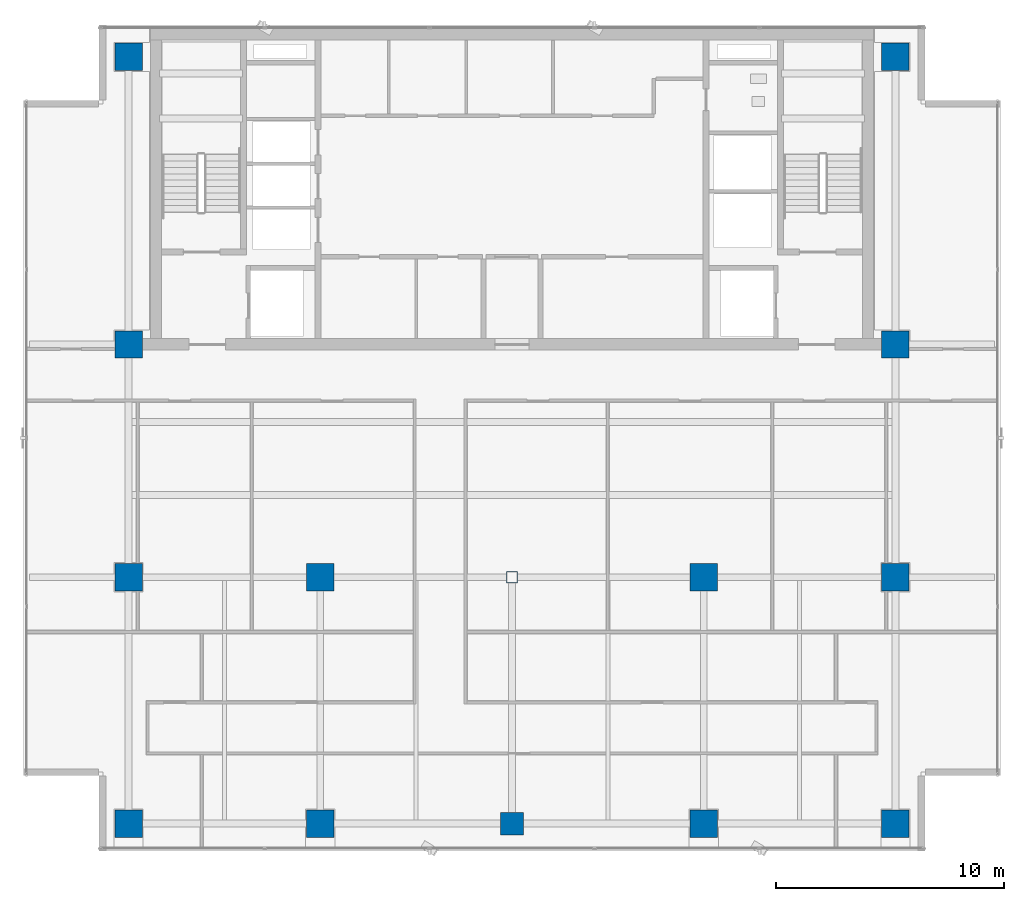
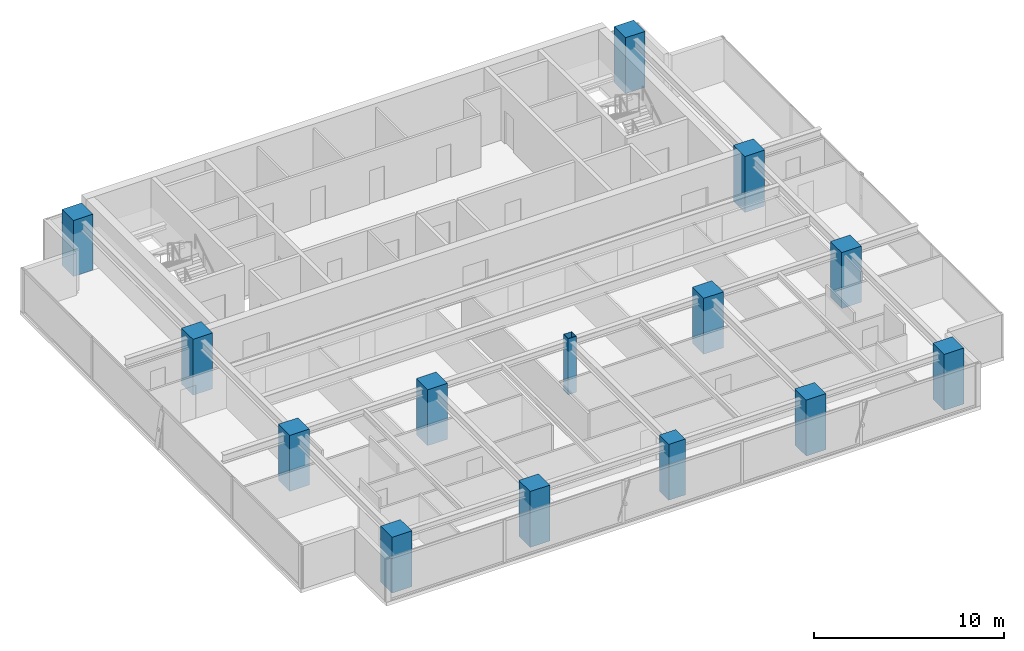
# One storey, part 1 of 23: 14 columns.
"""IFC4 building model written with IfcOpenShell, lengths in metres."""

from ifc_helpers import new_model, si_unit, direction, frame, origin, origin_with_axes, origin_2d, place, context, subcontext, project, spatial, rectangle, hollow_rectangle, extrude, source, transform, mapped, material, material_profile, profile_set, type_object, element, save


model = new_model("IFC4")

# Units and contexts
model_context = context("Model", 3, precision=1e-05, world=origin(), true_north=direction((0.0, 1.0)))
body_context = subcontext(model_context, "Body", "Model", "MODEL_VIEW")
ifc_project = project(units=[si_unit("LENGTHUNIT", "METRE"), si_unit("AREAUNIT", "SQUARE_METRE"), si_unit("VOLUMEUNIT", "CUBIC_METRE"), si_unit("PLANEANGLEUNIT", "RADIAN"), si_unit("MASSUNIT", "GRAM", prefix="KILO")], contexts=[model_context])

# Site, building, storey
site_placement = place(None, origin())
site = spatial("IfcSite", under=ifc_project, at=site_placement, CompositionType="ELEMENT")
building_placement = place(site_placement, origin())
building = spatial("IfcBuilding", under=site, at=building_placement, Name="Sumidabori Civic Tower", CompositionType="ELEMENT")
storey_placement = place(building_placement, frame((0.0, 0.0, 275.60009765625)))
storey = spatial("IfcBuildingStorey", under=building, at=storey_placement, Name="L72", CompositionType="ELEMENT", Elevation=275.60009765625)

# Columns
ifc_material_1 = material(Name="Concrete C50/60", Category="concrete")
ifc_material_profile_1 = material_profile(ifc_material_1, rectangle(XDim=1.0, YDim=1.0, at=origin_2d()), Name="RC 1000x1000")
ifc_profile_set_1 = profile_set([ifc_material_profile_1], Name="Concrete C50/60")
column_type_1 = type_object("IfcColumnType", Name="CL-INT-1000", PredefinedType="COLUMN", material=ifc_profile_set_1)
shared_shape_1 = source(origin(), body_context, "Body", "SweptSolid", [
    extrude(rectangle(XDim=1.0, YDim=1.0, at=origin_2d()), origin(), (0.0, 0.0, 1.0), 3.599853515625),
])
column_1_placement = place(storey_placement, frame((0.0, -10.800048828125, 0.0), z_axis=(0.0, 0.0, 1.0), x_axis=(1.0, 0.0, 0.0)))
element("IfcColumn", 1, at=column_1_placement, inside=storey, type_object=column_type_1, Name="Column MC-C00-Y11S L72", PredefinedType="COLUMN", context=body_context, shape_type="MappedRepresentation", body=[
    mapped(shared_shape_1, transform((0.0, 0.0, 0.0), x_axis=(1.0, 0.0, 0.0), y_axis=(0.0, 1.0, 0.0), z_axis=(0.0, 0.0, 1.0), scale=1.0)),
])
ifc_material_profile_2 = material_profile(ifc_material_1, rectangle(XDim=1.199951171875, YDim=1.199951171875, at=origin_2d()), Name="RC 1200x1200")
ifc_profile_set_2 = profile_set([ifc_material_profile_2], Name="Concrete C50/60")
column_type_2 = type_object("IfcColumnType", Name="CL-MEGA-1200", PredefinedType="COLUMN", material=ifc_profile_set_2)
shared_shape_2 = source(origin(), body_context, "Body", "SweptSolid", [
    extrude(rectangle(XDim=1.199951171875, YDim=1.199951171875, at=origin_2d()), origin(), (0.0, 0.0, 1.0), 3.599853515625),
])
for number, where, z_axis, x_axis, name in (
    (2, (-16.800048828125, -10.800048828125, 0.0), (0.0, 0.0, 1.0), (1.0, 0.0, 0.0), "Column MC-W16-Y11S L72"),
    (3, (-16.800048828125, 0.0, 0.0), (0.0, 0.0, 1.0), (1.0, 0.0, 0.0), "Column MC-W16-Y00 L72"),
    (4, (-16.800048828125, 10.199951171875, 0.0), (0.0, 0.0, 1.0), (1.0, 0.0, 0.0), "Column MC-W16-Y10N L72"),
    (5, (-16.800048828125, 22.800048828125, 0.0), (0.0, 0.0, 1.0), (1.0, 0.0, 0.0), "Column MC-W16-Y23N L72"),
    (6, (16.800048828125, -10.800048828125, 0.0), (0.0, 0.0, 1.0), (1.0, 0.0, 0.0), "Column MC-E16-Y11S L72"),
    (7, (16.800048828125, 0.0, 0.0), (0.0, 0.0, 1.0), (1.0, 0.0, 0.0), "Column MC-E16-Y00 L72"),
    (8, (16.800048828125, 10.199951171875, 0.0), (0.0, 0.0, 1.0), (1.0, 0.0, 0.0), "Column MC-E16-Y10N L72"),
    (9, (16.800048828125, 22.800048828125, 0.0), (0.0, 0.0, 1.0), (1.0, 0.0, 0.0), "Column MC-E16-Y23N L72"),
    (10, (-8.39990234375, 0.0, 0.0), (0.0, 0.0, 1.0), (1.0, 0.0, 0.0), "Column MC-W08-Y00 L72"),
    (11, (-8.39990234375, -10.800048828125, 0.0), (0.0, 0.0, 1.0), (1.0, 0.0, 0.0), "Column MC-W08-Y11S L72"),
    (12, (8.39990234375, 0.0, 0.0), (0.0, 0.0, 1.0), (1.0, 0.0, 0.0), "Column MC-E08-Y00 L72"),
    (13, (8.39990234375, -10.800048828125, 0.0), (0.0, 0.0, 1.0), (1.0, 0.0, 0.0), "Column MC-E08-Y11S L72"),
):
    element("IfcColumn", number, at=place(storey_placement, frame(where, z_axis=z_axis, x_axis=x_axis)), inside=storey, type_object=column_type_2, Name=name, PredefinedType="COLUMN", context=body_context, shape_type="MappedRepresentation", body=[
        mapped(shared_shape_2, transform((0.0, 0.0, 0.0), x_axis=(1.0, 0.0, 0.0), y_axis=(0.0, 1.0, 0.0), z_axis=(0.0, 0.0, 1.0), scale=1.0)),
    ])
ifc_material_2 = material(Name="Steel SN490", Category="steel")
ifc_material_profile_3 = material_profile(ifc_material_2, hollow_rectangle(XDim=0.5, YDim=0.5, WallThickness=0.02490234375, at=origin_2d()), Name="SHS 500x500x25")
ifc_profile_set_3 = profile_set([ifc_material_profile_3], Name="Steel SN490")
column_type_3 = type_object("IfcColumnType", Name="CL-CRN-SHS500", PredefinedType="COLUMN", material=ifc_profile_set_3)
shared_shape_3 = source(origin(), body_context, "Body", "SweptSolid", [
    extrude(hollow_rectangle(XDim=0.5, YDim=0.5, WallThickness=0.02490234375, at=origin_2d()), origin(), (0.0, 0.0, 1.0), 3.599853515625),
])
column_2_placement = place(storey_placement, origin_with_axes())
element("IfcColumn", 14, at=column_2_placement, inside=storey, type_object=column_type_3, Name="Column MC-C00-Y00 L72", PredefinedType="COLUMN", context=body_context, shape_type="MappedRepresentation", body=[
    mapped(shared_shape_3, transform((0.0, 0.0, 0.0), x_axis=(1.0, 0.0, 0.0), y_axis=(0.0, 1.0, 0.0), z_axis=(0.0, 0.0, 1.0), scale=1.0)),
])

save(model, "model.ifc")
